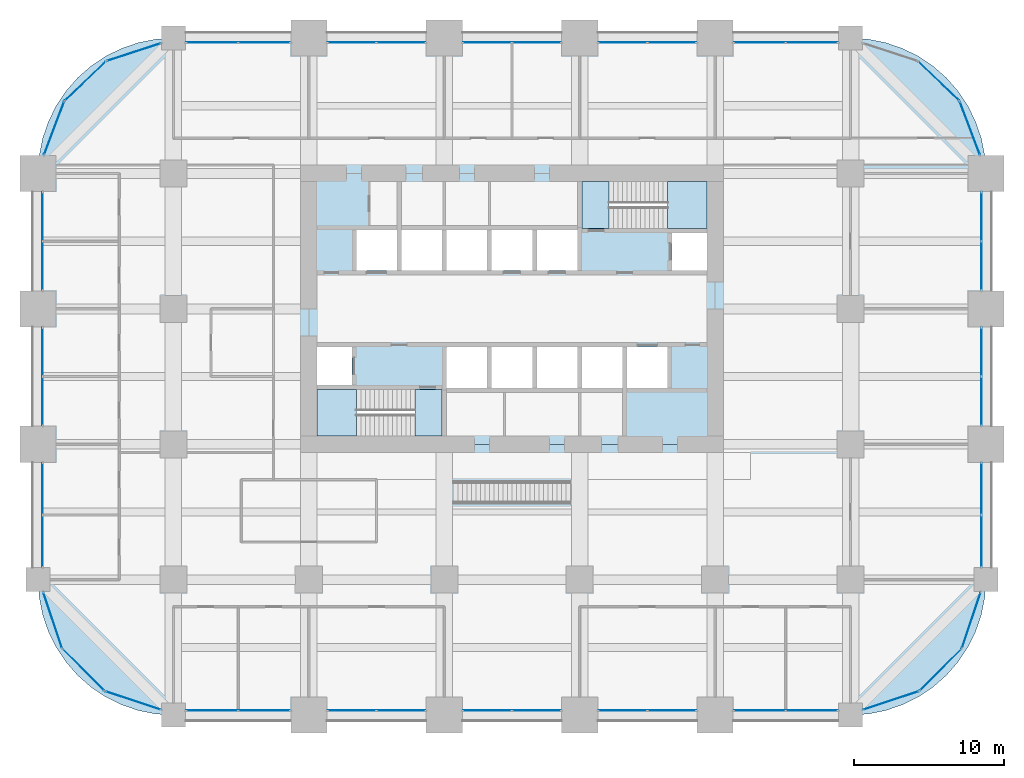
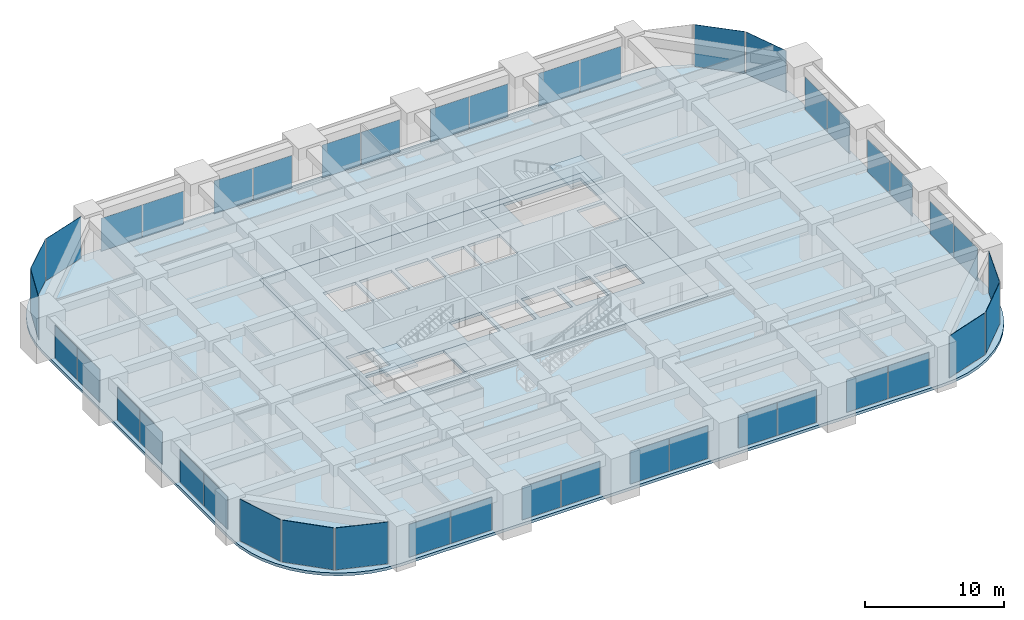
# One storey, part 35 of 41: 43 plates, 6 slabs, 29 elements without a shape of their own.
"""IFC4 building model written with IfcOpenShell, lengths in metres."""

from ifc_helpers import new_model, si_unit, direction, frame, origin, origin_2d, place, context, subcontext, project, spatial, polyline, rectangle, outline, extrude, material, layer, layer_set, type_object, element, aggregate, save


model = new_model("IFC4")

# Units and contexts
model_context = context("Model", 3, precision=1e-05, world=origin(), true_north=direction((0.0, 1.0)))
body_context = subcontext(model_context, "Body", "Model", "MODEL_VIEW")
ifc_project = project(units=[si_unit("LENGTHUNIT", "METRE"), si_unit("AREAUNIT", "SQUARE_METRE"), si_unit("VOLUMEUNIT", "CUBIC_METRE"), si_unit("PLANEANGLEUNIT", "RADIAN"), si_unit("MASSUNIT", "GRAM", prefix="KILO")], contexts=[model_context])

# Site, building, storey
site_placement = place(None, origin())
site = spatial("IfcSite", under=ifc_project, at=site_placement, CompositionType="ELEMENT")
building_placement = place(site_placement, origin())
building = spatial("IfcBuilding", under=site, at=building_placement, Name="Zorevar Civic Tower", CompositionType="ELEMENT")
storey_placement = place(building_placement, frame((0.0, 0.0, 137.0)))
storey = spatial("IfcBuildingStorey", under=building, at=storey_placement, Name="L33", CompositionType="ELEMENT", Elevation=137.0)

# Curtain wall, plates
ifc_material_1 = material(Name="Dark grey solar-control glass in black aluminium frame", Category="aluminium")
curtain_wall_type = type_object("IfcCurtainWallType", Name="Curtain wall CW3 mid zone", PredefinedType="NOTDEFINED", material=ifc_material_1)
curtain_wall_1_placement = place(storey_placement, origin())
curtain_wall_1 = element("IfcCurtainWall", 1, at=curtain_wall_1_placement, inside=storey, type_object=curtain_wall_type, Name="CW3 L33", PredefinedType="NOTDEFINED")
ifc_material_2 = material(Name="Dark grey solar-control glass", Category="glass")
ifc_layer_1 = layer(ifc_material_2, 0.030029296875)
ifc_layer_set_1 = layer_set([ifc_layer_1], Name="CW3 panel 30")
plate_type = type_object("IfcPlateType", Name="CW3 panel 30", PredefinedType="CURTAIN_PANEL", material=ifc_layer_set_1)
plate_1_placement = place(storey_placement, frame((11.56494140625, 0.300048828125, 0.06005859375), z_axis=(0.0, 0.0, 1.0), x_axis=(1.0, 0.0, 0.0)))
plate_1 = element("IfcPlate", 2, at=plate_1_placement, type_object=plate_type, Name="CW3 panel 1.1", PredefinedType="CURTAIN_PANEL", context=body_context, shape_type="SweptSolid", body=[
    extrude(rectangle(XDim=3.409912109375, YDim=0.030029296875, at=origin_2d()), origin(), (0.0, 0.0, 1.0), 2.889892578125),
])
plate_2_placement = place(storey_placement, frame((15.034912109375, 0.300048828125, 0.06005859375), z_axis=(0.0, 0.0, 1.0), x_axis=(1.0, 0.0, 0.0)))
plate_2 = element("IfcPlate", 3, at=plate_2_placement, type_object=plate_type, Name="CW3 panel 2.1", PredefinedType="CURTAIN_PANEL", context=body_context, shape_type="SweptSolid", body=[
    extrude(rectangle(XDim=3.409912109375, YDim=0.030029296875, at=origin_2d()), origin(), (0.0, 0.0, 1.0), 2.889892578125),
])
aggregate(curtain_wall_1, [plate_1, plate_2])

curtain_wall_2_placement = place(storey_placement, origin())
curtain_wall_2 = element("IfcCurtainWall", 4, at=curtain_wall_2_placement, inside=storey, type_object=curtain_wall_type, Name="CW3 L33", PredefinedType="NOTDEFINED")
plate_3_placement = place(storey_placement, frame((11.56494140625, 44.699951171875, 0.06005859375), z_axis=(0.0, 0.0, 1.0), x_axis=(1.0, 0.0, 0.0)))
plate_3 = element("IfcPlate", 5, at=plate_3_placement, type_object=plate_type, Name="CW3 panel 1.1", PredefinedType="CURTAIN_PANEL", context=body_context, shape_type="SweptSolid", body=[
    extrude(rectangle(XDim=3.409912109375, YDim=0.030029296875, at=origin_2d()), origin(), (0.0, 0.0, 1.0), 2.889892578125),
])
plate_4_placement = place(storey_placement, frame((15.034912109375, 44.699951171875, 0.06005859375), z_axis=(0.0, 0.0, 1.0), x_axis=(1.0, 0.0, 0.0)))
plate_4 = element("IfcPlate", 6, at=plate_4_placement, type_object=plate_type, Name="CW3 panel 2.1", PredefinedType="CURTAIN_PANEL", context=body_context, shape_type="SweptSolid", body=[
    extrude(rectangle(XDim=3.409912109375, YDim=0.030029296875, at=origin_2d()), origin(), (0.0, 0.0, 1.0), 2.889892578125),
])
aggregate(curtain_wall_2, [plate_3, plate_4])

curtain_wall_3_placement = place(storey_placement, origin())
curtain_wall_3 = element("IfcCurtainWall", 7, at=curtain_wall_3_placement, inside=storey, type_object=curtain_wall_type, Name="CW3 L33", PredefinedType="NOTDEFINED")
plate_5_placement = place(storey_placement, frame((20.864990234375, 0.300048828125, 0.06005859375), z_axis=(0.0, 0.0, 1.0), x_axis=(1.0, 0.0, 0.0)))
plate_5 = element("IfcPlate", 8, at=plate_5_placement, type_object=plate_type, Name="CW3 panel 1.1", PredefinedType="CURTAIN_PANEL", context=body_context, shape_type="SweptSolid", body=[
    extrude(rectangle(XDim=3.2099609375, YDim=0.030029296875, at=origin_2d()), origin(), (0.0, 0.0, 1.0), 2.889892578125),
])
plate_6_placement = place(storey_placement, frame((24.135009765625, 0.300048828125, 0.06005859375), z_axis=(0.0, 0.0, 1.0), x_axis=(1.0, 0.0, 0.0)))
plate_6 = element("IfcPlate", 9, at=plate_6_placement, type_object=plate_type, Name="CW3 panel 2.1", PredefinedType="CURTAIN_PANEL", context=body_context, shape_type="SweptSolid", body=[
    extrude(rectangle(XDim=3.2099609375, YDim=0.030029296875, at=origin_2d()), origin(), (0.0, 0.0, 1.0), 2.889892578125),
])
aggregate(curtain_wall_3, [plate_5, plate_6])

curtain_wall_4_placement = place(storey_placement, origin())
curtain_wall_4 = element("IfcCurtainWall", 10, at=curtain_wall_4_placement, inside=storey, type_object=curtain_wall_type, Name="CW3 L33", PredefinedType="NOTDEFINED")
plate_7_placement = place(storey_placement, frame((20.864990234375, 44.699951171875, 0.06005859375), z_axis=(0.0, 0.0, 1.0), x_axis=(1.0, 0.0, 0.0)))
plate_7 = element("IfcPlate", 11, at=plate_7_placement, type_object=plate_type, Name="CW3 panel 1.1", PredefinedType="CURTAIN_PANEL", context=body_context, shape_type="SweptSolid", body=[
    extrude(rectangle(XDim=3.2099609375, YDim=0.030029296875, at=origin_2d()), origin(), (0.0, 0.0, 1.0), 2.889892578125),
])
plate_8_placement = place(storey_placement, frame((24.135009765625, 44.699951171875, 0.06005859375), z_axis=(0.0, 0.0, 1.0), x_axis=(1.0, 0.0, 0.0)))
plate_8 = element("IfcPlate", 12, at=plate_8_placement, type_object=plate_type, Name="CW3 panel 2.1", PredefinedType="CURTAIN_PANEL", context=body_context, shape_type="SweptSolid", body=[
    extrude(rectangle(XDim=3.2099609375, YDim=0.030029296875, at=origin_2d()), origin(), (0.0, 0.0, 1.0), 2.889892578125),
])
aggregate(curtain_wall_4, [plate_7, plate_8])

curtain_wall_5_placement = place(storey_placement, origin())
curtain_wall_5 = element("IfcCurtainWall", 13, at=curtain_wall_5_placement, inside=storey, type_object=curtain_wall_type, Name="CW3 L33", PredefinedType="NOTDEFINED")
plate_9_placement = place(storey_placement, frame((29.864990234375, 0.300048828125, 0.06005859375), z_axis=(0.0, 0.0, 1.0), x_axis=(1.0, 0.0, 0.0)))
plate_9 = element("IfcPlate", 14, at=plate_9_placement, type_object=plate_type, Name="CW3 panel 1.1", PredefinedType="CURTAIN_PANEL", context=body_context, shape_type="SweptSolid", body=[
    extrude(rectangle(XDim=3.2099609375, YDim=0.030029296875, at=origin_2d()), origin(), (0.0, 0.0, 1.0), 2.889892578125),
])
plate_10_placement = place(storey_placement, frame((33.135009765625, 0.300048828125, 0.06005859375), z_axis=(0.0, 0.0, 1.0), x_axis=(1.0, 0.0, 0.0)))
plate_10 = element("IfcPlate", 15, at=plate_10_placement, type_object=plate_type, Name="CW3 panel 2.1", PredefinedType="CURTAIN_PANEL", context=body_context, shape_type="SweptSolid", body=[
    extrude(rectangle(XDim=3.2099609375, YDim=0.030029296875, at=origin_2d()), origin(), (0.0, 0.0, 1.0), 2.889892578125),
])
aggregate(curtain_wall_5, [plate_9, plate_10])

curtain_wall_6_placement = place(storey_placement, origin())
curtain_wall_6 = element("IfcCurtainWall", 16, at=curtain_wall_6_placement, inside=storey, type_object=curtain_wall_type, Name="CW3 L33", PredefinedType="NOTDEFINED")
plate_11_placement = place(storey_placement, frame((29.864990234375, 44.699951171875, 0.06005859375), z_axis=(0.0, 0.0, 1.0), x_axis=(1.0, 0.0, 0.0)))
plate_11 = element("IfcPlate", 17, at=plate_11_placement, type_object=plate_type, Name="CW3 panel 1.1", PredefinedType="CURTAIN_PANEL", context=body_context, shape_type="SweptSolid", body=[
    extrude(rectangle(XDim=3.2099609375, YDim=0.030029296875, at=origin_2d()), origin(), (0.0, 0.0, 1.0), 2.889892578125),
])
plate_12_placement = place(storey_placement, frame((33.135009765625, 44.699951171875, 0.06005859375), z_axis=(0.0, 0.0, 1.0), x_axis=(1.0, 0.0, 0.0)))
plate_12 = element("IfcPlate", 18, at=plate_12_placement, type_object=plate_type, Name="CW3 panel 2.1", PredefinedType="CURTAIN_PANEL", context=body_context, shape_type="SweptSolid", body=[
    extrude(rectangle(XDim=3.2099609375, YDim=0.030029296875, at=origin_2d()), origin(), (0.0, 0.0, 1.0), 2.889892578125),
])
aggregate(curtain_wall_6, [plate_11, plate_12])

curtain_wall_7_placement = place(storey_placement, origin())
curtain_wall_7 = element("IfcCurtainWall", 19, at=curtain_wall_7_placement, inside=storey, type_object=curtain_wall_type, Name="CW3 L33", PredefinedType="NOTDEFINED")
plate_13_placement = place(storey_placement, frame((38.864990234375, 0.300048828125, 0.06005859375), z_axis=(0.0, 0.0, 1.0), x_axis=(1.0, 0.0, 0.0)))
plate_13 = element("IfcPlate", 20, at=plate_13_placement, type_object=plate_type, Name="CW3 panel 1.1", PredefinedType="CURTAIN_PANEL", context=body_context, shape_type="SweptSolid", body=[
    extrude(rectangle(XDim=3.2099609375, YDim=0.030029296875, at=origin_2d()), origin(), (0.0, 0.0, 1.0), 2.889892578125),
])
plate_14_placement = place(storey_placement, frame((42.135009765625, 0.300048828125, 0.06005859375), z_axis=(0.0, 0.0, 1.0), x_axis=(1.0, 0.0, 0.0)))
plate_14 = element("IfcPlate", 21, at=plate_14_placement, type_object=plate_type, Name="CW3 panel 2.1", PredefinedType="CURTAIN_PANEL", context=body_context, shape_type="SweptSolid", body=[
    extrude(rectangle(XDim=3.2099609375, YDim=0.030029296875, at=origin_2d()), origin(), (0.0, 0.0, 1.0), 2.889892578125),
])
aggregate(curtain_wall_7, [plate_13, plate_14])

curtain_wall_8_placement = place(storey_placement, origin())
curtain_wall_8 = element("IfcCurtainWall", 22, at=curtain_wall_8_placement, inside=storey, type_object=curtain_wall_type, Name="CW3 L33", PredefinedType="NOTDEFINED")
plate_15_placement = place(storey_placement, frame((38.864990234375, 44.699951171875, 0.06005859375), z_axis=(0.0, 0.0, 1.0), x_axis=(1.0, 0.0, 0.0)))
plate_15 = element("IfcPlate", 23, at=plate_15_placement, type_object=plate_type, Name="CW3 panel 1.1", PredefinedType="CURTAIN_PANEL", context=body_context, shape_type="SweptSolid", body=[
    extrude(rectangle(XDim=3.2099609375, YDim=0.030029296875, at=origin_2d()), origin(), (0.0, 0.0, 1.0), 2.889892578125),
])
plate_16_placement = place(storey_placement, frame((42.135009765625, 44.699951171875, 0.06005859375), z_axis=(0.0, 0.0, 1.0), x_axis=(1.0, 0.0, 0.0)))
plate_16 = element("IfcPlate", 24, at=plate_16_placement, type_object=plate_type, Name="CW3 panel 2.1", PredefinedType="CURTAIN_PANEL", context=body_context, shape_type="SweptSolid", body=[
    extrude(rectangle(XDim=3.2099609375, YDim=0.030029296875, at=origin_2d()), origin(), (0.0, 0.0, 1.0), 2.889892578125),
])
aggregate(curtain_wall_8, [plate_15, plate_16])

curtain_wall_9_placement = place(storey_placement, origin())
curtain_wall_9 = element("IfcCurtainWall", 25, at=curtain_wall_9_placement, inside=storey, type_object=curtain_wall_type, Name="CW3 L33", PredefinedType="NOTDEFINED")
plate_17_placement = place(storey_placement, frame((47.965087890625, 0.300048828125, 0.06005859375), z_axis=(0.0, 0.0, 1.0), x_axis=(1.0, 0.0, 0.0)))
plate_17 = element("IfcPlate", 26, at=plate_17_placement, type_object=plate_type, Name="CW3 panel 1.1", PredefinedType="CURTAIN_PANEL", context=body_context, shape_type="SweptSolid", body=[
    extrude(rectangle(XDim=3.409912109375, YDim=0.030029296875, at=origin_2d()), origin(), (0.0, 0.0, 1.0), 2.889892578125),
])
plate_18_placement = place(storey_placement, frame((51.43505859375, 0.300048828125, 0.06005859375), z_axis=(0.0, 0.0, 1.0), x_axis=(1.0, 0.0, 0.0)))
plate_18 = element("IfcPlate", 27, at=plate_18_placement, type_object=plate_type, Name="CW3 panel 2.1", PredefinedType="CURTAIN_PANEL", context=body_context, shape_type="SweptSolid", body=[
    extrude(rectangle(XDim=3.409912109375, YDim=0.030029296875, at=origin_2d()), origin(), (0.0, 0.0, 1.0), 2.889892578125),
])
aggregate(curtain_wall_9, [plate_17, plate_18])

curtain_wall_10_placement = place(storey_placement, origin())
curtain_wall_10 = element("IfcCurtainWall", 28, at=curtain_wall_10_placement, inside=storey, type_object=curtain_wall_type, Name="CW3 L33", PredefinedType="NOTDEFINED")
plate_19_placement = place(storey_placement, frame((47.965087890625, 44.699951171875, 0.06005859375), z_axis=(0.0, 0.0, 1.0), x_axis=(1.0, 0.0, 0.0)))
plate_19 = element("IfcPlate", 29, at=plate_19_placement, type_object=plate_type, Name="CW3 panel 1.1", PredefinedType="CURTAIN_PANEL", context=body_context, shape_type="SweptSolid", body=[
    extrude(rectangle(XDim=3.409912109375, YDim=0.030029296875, at=origin_2d()), origin(), (0.0, 0.0, 1.0), 2.889892578125),
])
plate_20_placement = place(storey_placement, frame((51.43505859375, 44.699951171875, 0.06005859375), z_axis=(0.0, 0.0, 1.0), x_axis=(1.0, 0.0, 0.0)))
plate_20 = element("IfcPlate", 30, at=plate_20_placement, type_object=plate_type, Name="CW3 panel 2.1", PredefinedType="CURTAIN_PANEL", context=body_context, shape_type="SweptSolid", body=[
    extrude(rectangle(XDim=3.409912109375, YDim=0.030029296875, at=origin_2d()), origin(), (0.0, 0.0, 1.0), 2.889892578125),
])
aggregate(curtain_wall_10, [plate_19, plate_20])

curtain_wall_11_placement = place(storey_placement, origin())
curtain_wall_11 = element("IfcCurtainWall", 31, at=curtain_wall_11_placement, inside=storey, type_object=curtain_wall_type, Name="CW3 L33", PredefinedType="NOTDEFINED")
plate_21_placement = place(storey_placement, frame((0.300048828125, 11.56494140625, 0.06005859375), z_axis=(0.0, 0.0, 1.0), x_axis=(0.0, 1.0, 0.0)))
plate_21 = element("IfcPlate", 32, at=plate_21_placement, type_object=plate_type, Name="CW3 panel 1.1", PredefinedType="CURTAIN_PANEL", context=body_context, shape_type="SweptSolid", body=[
    extrude(rectangle(XDim=3.409912109375, YDim=0.030029296875, at=origin_2d()), origin(), (0.0, 0.0, 1.0), 2.889892578125),
])
plate_22_placement = place(storey_placement, frame((0.300048828125, 15.034912109375, 0.06005859375), z_axis=(0.0, 0.0, 1.0), x_axis=(0.0, 1.0, 0.0)))
plate_22 = element("IfcPlate", 33, at=plate_22_placement, type_object=plate_type, Name="CW3 panel 2.1", PredefinedType="CURTAIN_PANEL", context=body_context, shape_type="SweptSolid", body=[
    extrude(rectangle(XDim=3.409912109375, YDim=0.030029296875, at=origin_2d()), origin(), (0.0, 0.0, 1.0), 2.889892578125),
])
aggregate(curtain_wall_11, [plate_21, plate_22])

curtain_wall_12_placement = place(storey_placement, origin())
curtain_wall_12 = element("IfcCurtainWall", 34, at=curtain_wall_12_placement, inside=storey, type_object=curtain_wall_type, Name="CW3 L33", PredefinedType="NOTDEFINED")
plate_23_placement = place(storey_placement, frame((62.699951171875, 11.56494140625, 0.06005859375), z_axis=(0.0, 0.0, 1.0), x_axis=(0.0, 1.0, 0.0)))
plate_23 = element("IfcPlate", 35, at=plate_23_placement, type_object=plate_type, Name="CW3 panel 1.1", PredefinedType="CURTAIN_PANEL", context=body_context, shape_type="SweptSolid", body=[
    extrude(rectangle(XDim=3.409912109375, YDim=0.030029296875, at=origin_2d()), origin(), (0.0, 0.0, 1.0), 2.889892578125),
])
plate_24_placement = place(storey_placement, frame((62.699951171875, 15.034912109375, 0.06005859375), z_axis=(0.0, 0.0, 1.0), x_axis=(0.0, 1.0, 0.0)))
plate_24 = element("IfcPlate", 36, at=plate_24_placement, type_object=plate_type, Name="CW3 panel 2.1", PredefinedType="CURTAIN_PANEL", context=body_context, shape_type="SweptSolid", body=[
    extrude(rectangle(XDim=3.409912109375, YDim=0.030029296875, at=origin_2d()), origin(), (0.0, 0.0, 1.0), 2.889892578125),
])
aggregate(curtain_wall_12, [plate_23, plate_24])

curtain_wall_13_placement = place(storey_placement, origin())
curtain_wall_13 = element("IfcCurtainWall", 37, at=curtain_wall_13_placement, inside=storey, type_object=curtain_wall_type, Name="CW3 L33", PredefinedType="NOTDEFINED")
plate_25_placement = place(storey_placement, frame((0.300048828125, 20.864990234375, 0.06005859375), z_axis=(0.0, 0.0, 1.0), x_axis=(0.0, 1.0, 0.0)))
plate_25 = element("IfcPlate", 38, at=plate_25_placement, type_object=plate_type, Name="CW3 panel 1.1", PredefinedType="CURTAIN_PANEL", context=body_context, shape_type="SweptSolid", body=[
    extrude(rectangle(XDim=3.2099609375, YDim=0.030029296875, at=origin_2d()), origin(), (0.0, 0.0, 1.0), 2.889892578125),
])
plate_26_placement = place(storey_placement, frame((0.300048828125, 24.135009765625, 0.06005859375), z_axis=(0.0, 0.0, 1.0), x_axis=(0.0, 1.0, 0.0)))
plate_26 = element("IfcPlate", 39, at=plate_26_placement, type_object=plate_type, Name="CW3 panel 2.1", PredefinedType="CURTAIN_PANEL", context=body_context, shape_type="SweptSolid", body=[
    extrude(rectangle(XDim=3.2099609375, YDim=0.030029296875, at=origin_2d()), origin(), (0.0, 0.0, 1.0), 2.889892578125),
])
aggregate(curtain_wall_13, [plate_25, plate_26])

curtain_wall_14_placement = place(storey_placement, origin())
curtain_wall_14 = element("IfcCurtainWall", 40, at=curtain_wall_14_placement, inside=storey, type_object=curtain_wall_type, Name="CW3 L33", PredefinedType="NOTDEFINED")
plate_27_placement = place(storey_placement, frame((62.699951171875, 20.864990234375, 0.06005859375), z_axis=(0.0, 0.0, 1.0), x_axis=(0.0, 1.0, 0.0)))
plate_27 = element("IfcPlate", 41, at=plate_27_placement, type_object=plate_type, Name="CW3 panel 1.1", PredefinedType="CURTAIN_PANEL", context=body_context, shape_type="SweptSolid", body=[
    extrude(rectangle(XDim=3.2099609375, YDim=0.030029296875, at=origin_2d()), origin(), (0.0, 0.0, 1.0), 2.889892578125),
])
plate_28_placement = place(storey_placement, frame((62.699951171875, 24.135009765625, 0.06005859375), z_axis=(0.0, 0.0, 1.0), x_axis=(0.0, 1.0, 0.0)))
plate_28 = element("IfcPlate", 42, at=plate_28_placement, type_object=plate_type, Name="CW3 panel 2.1", PredefinedType="CURTAIN_PANEL", context=body_context, shape_type="SweptSolid", body=[
    extrude(rectangle(XDim=3.2099609375, YDim=0.030029296875, at=origin_2d()), origin(), (0.0, 0.0, 1.0), 2.889892578125),
])
aggregate(curtain_wall_14, [plate_27, plate_28])

curtain_wall_15_placement = place(storey_placement, origin())
curtain_wall_15 = element("IfcCurtainWall", 43, at=curtain_wall_15_placement, inside=storey, type_object=curtain_wall_type, Name="CW3 L33", PredefinedType="NOTDEFINED")
plate_29_placement = place(storey_placement, frame((0.300048828125, 29.864990234375, 0.06005859375), z_axis=(0.0, 0.0, 1.0), x_axis=(0.0, 1.0, 0.0)))
plate_29 = element("IfcPlate", 44, at=plate_29_placement, type_object=plate_type, Name="CW3 panel 1.1", PredefinedType="CURTAIN_PANEL", context=body_context, shape_type="SweptSolid", body=[
    extrude(rectangle(XDim=3.2099609375, YDim=0.030029296875, at=origin_2d()), origin(), (0.0, 0.0, 1.0), 2.889892578125),
])
plate_30_placement = place(storey_placement, frame((0.300048828125, 33.135009765625, 0.06005859375), z_axis=(0.0, 0.0, 1.0), x_axis=(0.0, 1.0, 0.0)))
plate_30 = element("IfcPlate", 45, at=plate_30_placement, type_object=plate_type, Name="CW3 panel 2.1", PredefinedType="CURTAIN_PANEL", context=body_context, shape_type="SweptSolid", body=[
    extrude(rectangle(XDim=3.2099609375, YDim=0.030029296875, at=origin_2d()), origin(), (0.0, 0.0, 1.0), 2.889892578125),
])
aggregate(curtain_wall_15, [plate_29, plate_30])

curtain_wall_16_placement = place(storey_placement, origin())
curtain_wall_16 = element("IfcCurtainWall", 46, at=curtain_wall_16_placement, inside=storey, type_object=curtain_wall_type, Name="CW3 L33", PredefinedType="NOTDEFINED")
plate_31_placement = place(storey_placement, frame((62.699951171875, 29.864990234375, 0.06005859375), z_axis=(0.0, 0.0, 1.0), x_axis=(0.0, 1.0, 0.0)))
plate_31 = element("IfcPlate", 47, at=plate_31_placement, type_object=plate_type, Name="CW3 panel 1.1", PredefinedType="CURTAIN_PANEL", context=body_context, shape_type="SweptSolid", body=[
    extrude(rectangle(XDim=3.2099609375, YDim=0.030029296875, at=origin_2d()), origin(), (0.0, 0.0, 1.0), 2.889892578125),
])
plate_32_placement = place(storey_placement, frame((62.699951171875, 33.135009765625, 0.06005859375), z_axis=(0.0, 0.0, 1.0), x_axis=(0.0, 1.0, 0.0)))
plate_32 = element("IfcPlate", 48, at=plate_32_placement, type_object=plate_type, Name="CW3 panel 2.1", PredefinedType="CURTAIN_PANEL", context=body_context, shape_type="SweptSolid", body=[
    extrude(rectangle(XDim=3.2099609375, YDim=0.030029296875, at=origin_2d()), origin(), (0.0, 0.0, 1.0), 2.889892578125),
])
aggregate(curtain_wall_16, [plate_31, plate_32])

# Curtain wall, plate
curtain_wall_17_placement = place(storey_placement, origin())
curtain_wall_17 = element("IfcCurtainWall", 49, at=curtain_wall_17_placement, inside=storey, type_object=curtain_wall_type, Name="CW3 L33", PredefinedType="NOTDEFINED")
plate_33_placement = place(storey_placement, frame((56.689453125, 0.9697265625, 0.06005859375), z_axis=(0.0, 0.0, 1.0), x_axis=(0.948227238701, 0.317592669603, 0.0)))
plate_33 = element("IfcPlate", 50, at=plate_33_placement, type_object=plate_type, Name="CW3 panel 1.1", PredefinedType="CURTAIN_PANEL", context=body_context, shape_type="SweptSolid", body=[
    extrude(rectangle(XDim=3.865478515625, YDim=0.030029296875, at=origin_2d()), origin(), (0.0, 0.0, 1.0), 3.68994140625),
])
aggregate(curtain_wall_17, [plate_33])

curtain_wall_18_placement = place(storey_placement, origin())
curtain_wall_18 = element("IfcCurtainWall", 51, at=curtain_wall_18_placement, inside=storey, type_object=curtain_wall_type, Name="CW3 L33", PredefinedType="NOTDEFINED")
plate_34_placement = place(storey_placement, frame((59.98828125, 3.01171875, 0.06005859375), z_axis=(0.0, 0.0, 1.0), x_axis=(0.707106781187, 0.707106781187, 0.0)))
plate_34 = element("IfcPlate", 52, at=plate_34_placement, type_object=plate_type, Name="CW3 panel 1.1", PredefinedType="CURTAIN_PANEL", context=body_context, shape_type="SweptSolid", body=[
    extrude(rectangle(XDim=3.865478515625, YDim=0.030029296875, at=origin_2d()), origin(), (0.0, 0.0, 1.0), 3.68994140625),
])
aggregate(curtain_wall_18, [plate_34])

curtain_wall_19_placement = place(storey_placement, origin())
curtain_wall_19 = element("IfcCurtainWall", 53, at=curtain_wall_19_placement, inside=storey, type_object=curtain_wall_type, Name="CW3 L33", PredefinedType="NOTDEFINED")
plate_35_placement = place(storey_placement, frame((62.0302734375, 6.310546875, 0.06005859375), z_axis=(0.0, 0.0, 1.0), x_axis=(0.317592669603, 0.948227238701, 0.0)))
plate_35 = element("IfcPlate", 54, at=plate_35_placement, type_object=plate_type, Name="CW3 panel 1.1", PredefinedType="CURTAIN_PANEL", context=body_context, shape_type="SweptSolid", body=[
    extrude(rectangle(XDim=3.865478515625, YDim=0.030029296875, at=origin_2d()), origin(), (0.0, 0.0, 1.0), 3.68994140625),
])
aggregate(curtain_wall_19, [plate_35])

curtain_wall_20_placement = place(storey_placement, origin())
curtain_wall_20 = element("IfcCurtainWall", 55, at=curtain_wall_20_placement, inside=storey, type_object=curtain_wall_type, Name="CW3 L33", PredefinedType="NOTDEFINED")
plate_36_placement = place(storey_placement, frame((61.9345703125, 39.002685546875, 0.06005859375), z_axis=(0.0, 0.0, 1.0), x_axis=(-0.353917722218, 0.935276561184, 0.0)))
plate_36 = element("IfcPlate", 56, at=plate_36_placement, type_object=plate_type, Name="CW3 panel 1.1", PredefinedType="CURTAIN_PANEL", context=body_context, shape_type="SweptSolid", body=[
    extrude(rectangle(XDim=3.734619140625, YDim=0.030029296875, at=origin_2d()), origin(), (0.0, 0.0, 1.0), 3.68994140625),
])
aggregate(curtain_wall_20, [plate_36])

curtain_wall_21_placement = place(storey_placement, origin())
curtain_wall_21 = element("IfcCurtainWall", 57, at=curtain_wall_21_placement, inside=storey, type_object=curtain_wall_type, Name="CW3 L33", PredefinedType="NOTDEFINED")
plate_37_placement = place(storey_placement, frame((59.8583984375, 42.13623046875, 0.06005859375), z_axis=(0.0, 0.0, 1.0), x_axis=(-0.723289117983, 0.690545329292, 0.0)))
plate_37 = element("IfcPlate", 58, at=plate_37_placement, type_object=plate_type, Name="CW3 panel 1.1", PredefinedType="CURTAIN_PANEL", context=body_context, shape_type="SweptSolid", body=[
    extrude(rectangle(XDim=3.734619140625, YDim=0.030029296875, at=origin_2d()), origin(), (0.0, 0.0, 1.0), 3.68994140625),
])
aggregate(curtain_wall_21, [plate_37])

curtain_wall_22_placement = place(storey_placement, origin())
curtain_wall_22 = element("IfcCurtainWall", 59, at=curtain_wall_22_placement, inside=storey, type_object=curtain_wall_type, Name="CW3 L33", PredefinedType="NOTDEFINED")
plate_38_placement = place(storey_placement, frame((6.36767578125, 44.065185546875, 0.06005859375), z_axis=(0.0, 0.0, 1.0), x_axis=(-0.950650706548, -0.310263169163, 0.0)))
plate_38 = element("IfcPlate", 60, at=plate_38_placement, type_object=plate_type, Name="CW3 panel 1.1", PredefinedType="CURTAIN_PANEL", context=body_context, shape_type="SweptSolid", body=[
    extrude(rectangle(XDim=3.734619140625, YDim=0.030029296875, at=origin_2d()), origin(), (0.0, 0.0, 1.0), 3.68994140625),
])
aggregate(curtain_wall_22, [plate_38])

curtain_wall_23_placement = place(storey_placement, origin())
curtain_wall_23 = element("IfcCurtainWall", 61, at=curtain_wall_23_placement, inside=storey, type_object=curtain_wall_type, Name="CW3 L33", PredefinedType="NOTDEFINED")
plate_39_placement = place(storey_placement, frame((3.1416015625, 42.13623046875, 0.06005859375), z_axis=(0.0, 0.0, 1.0), x_axis=(-0.723289117983, -0.690545329292, 0.0)))
plate_39 = element("IfcPlate", 62, at=plate_39_placement, type_object=plate_type, Name="CW3 panel 1.1", PredefinedType="CURTAIN_PANEL", context=body_context, shape_type="SweptSolid", body=[
    extrude(rectangle(XDim=3.734619140625, YDim=0.030029296875, at=origin_2d()), origin(), (0.0, 0.0, 1.0), 3.68994140625),
])
aggregate(curtain_wall_23, [plate_39])

curtain_wall_24_placement = place(storey_placement, origin())
curtain_wall_24 = element("IfcCurtainWall", 63, at=curtain_wall_24_placement, inside=storey, type_object=curtain_wall_type, Name="CW3 L33", PredefinedType="NOTDEFINED")
plate_40_placement = place(storey_placement, frame((1.0654296875, 39.002685546875, 0.06005859375), z_axis=(0.0, 0.0, 1.0), x_axis=(-0.353917722218, -0.935276561184, 0.0)))
plate_40 = element("IfcPlate", 64, at=plate_40_placement, type_object=plate_type, Name="CW3 panel 1.1", PredefinedType="CURTAIN_PANEL", context=body_context, shape_type="SweptSolid", body=[
    extrude(rectangle(XDim=3.734619140625, YDim=0.030029296875, at=origin_2d()), origin(), (0.0, 0.0, 1.0), 3.68994140625),
])
aggregate(curtain_wall_24, [plate_40])

curtain_wall_25_placement = place(storey_placement, origin())
curtain_wall_25 = element("IfcCurtainWall", 65, at=curtain_wall_25_placement, inside=storey, type_object=curtain_wall_type, Name="CW3 L33", PredefinedType="NOTDEFINED")
plate_41_placement = place(storey_placement, frame((0.9697265625, 6.310546875, 0.06005859375), z_axis=(0.0, 0.0, 1.0), x_axis=(0.317592669603, -0.948227238701, 0.0)))
plate_41 = element("IfcPlate", 66, at=plate_41_placement, type_object=plate_type, Name="CW3 panel 1.1", PredefinedType="CURTAIN_PANEL", context=body_context, shape_type="SweptSolid", body=[
    extrude(rectangle(XDim=3.865478515625, YDim=0.030029296875, at=origin_2d()), origin(), (0.0, 0.0, 1.0), 3.68994140625),
])
aggregate(curtain_wall_25, [plate_41])

curtain_wall_26_placement = place(storey_placement, origin())
curtain_wall_26 = element("IfcCurtainWall", 67, at=curtain_wall_26_placement, inside=storey, type_object=curtain_wall_type, Name="CW3 L33", PredefinedType="NOTDEFINED")
plate_42_placement = place(storey_placement, frame((3.01171875, 3.01171875, 0.06005859375), z_axis=(0.0, 0.0, 1.0), x_axis=(0.707106781187, -0.707106781187, 0.0)))
plate_42 = element("IfcPlate", 68, at=plate_42_placement, type_object=plate_type, Name="CW3 panel 1.1", PredefinedType="CURTAIN_PANEL", context=body_context, shape_type="SweptSolid", body=[
    extrude(rectangle(XDim=3.865478515625, YDim=0.030029296875, at=origin_2d()), origin(), (0.0, 0.0, 1.0), 3.68994140625),
])
aggregate(curtain_wall_26, [plate_42])

curtain_wall_27_placement = place(storey_placement, origin())
curtain_wall_27 = element("IfcCurtainWall", 69, at=curtain_wall_27_placement, inside=storey, type_object=curtain_wall_type, Name="CW3 L33", PredefinedType="NOTDEFINED")
plate_43_placement = place(storey_placement, frame((6.310546875, 0.9697265625, 0.06005859375), z_axis=(0.0, 0.0, 1.0), x_axis=(0.948227238701, -0.317592669603, 0.0)))
plate_43 = element("IfcPlate", 70, at=plate_43_placement, type_object=plate_type, Name="CW3 panel 1.1", PredefinedType="CURTAIN_PANEL", context=body_context, shape_type="SweptSolid", body=[
    extrude(rectangle(XDim=3.865478515625, YDim=0.030029296875, at=origin_2d()), origin(), (0.0, 0.0, 1.0), 3.68994140625),
])
aggregate(curtain_wall_27, [plate_43])

# Slabs
ifc_material_3 = material(Name="Concrete C40/50", Category="concrete")
ifc_layer_2 = layer(ifc_material_3, 0.25)
ifc_layer_set_2 = layer_set([ifc_layer_2], Name="Floor slab 250")
slab_type_1 = type_object("IfcSlabType", Name="Floor slab 250", PredefinedType="FLOOR", material=ifc_layer_set_2)
slab_1_placement = place(storey_placement, frame((0.0, 0.0, -0.25)))
element("IfcSlab", 71, at=slab_1_placement, inside=storey, type_object=slab_type_1, Name="Floor slab L33", PredefinedType="FLOOR", context=body_context, shape_type="SweptSolid", body=[
    extrude(outline(polyline([(54.0, 0.0), (55.1748046875, 0.076904296875), (56.329345703125, 0.306640625), (57.444091796875, 0.68505859375), (58.5, 1.205810546875), (59.478759765625, 1.85986328125), (60.364013671875, 2.635986328125), (61.14013671875, 3.521240234375), (61.794189453125, 4.5), (62.31494140625, 5.555908203125), (62.693359375, 6.670654296875), (62.923095703125, 7.8251953125), (63.0, 9.0), (63.0, 36.0), (62.923095703125, 37.1748046875), (62.693359375, 38.329345703125), (62.31494140625, 39.444091796875), (61.794189453125, 40.5), (61.14013671875, 41.478759765625), (60.364013671875, 42.364013671875), (59.478759765625, 43.14013671875), (58.5, 43.794189453125), (57.444091796875, 44.31494140625), (56.329345703125, 44.693359375), (55.1748046875, 44.923095703125), (54.0, 45.0), (9.0, 45.0), (7.8251953125, 44.923095703125), (6.670654296875, 44.693359375), (5.555908203125, 44.31494140625), (4.5, 43.794189453125), (3.521240234375, 43.14013671875), (2.635986328125, 42.364013671875), (1.85986328125, 41.478759765625), (1.205810546875, 40.5), (0.68505859375, 39.444091796875), (0.306640625, 38.329345703125), (0.076904296875, 37.1748046875), (0.0, 36.0), (0.0, 9.0), (0.076904296875, 7.8251953125), (0.306640625, 6.670654296875), (0.68505859375, 5.555908203125), (1.205810546875, 4.5), (1.85986328125, 3.521240234375), (2.635986328125, 2.635986328125), (3.521240234375, 1.85986328125), (4.5, 1.205810546875), (5.555908203125, 0.68505859375), (6.670654296875, 0.306640625), (7.8251953125, 0.076904296875), (9.0, 0.0), (54.0, 0.0)]), holes=[polyline([(18.0, 18.0), (45.0, 18.0), (45.0, 36.0), (18.0, 36.0), (18.0, 18.0)])]), origin(), (0.0, 0.0, 1.0), 0.25),
])
slab_2_placement = place(storey_placement, frame((0.0, 0.0, -0.25)))
element("IfcSlab", 72, at=slab_2_placement, inside=storey, type_object=slab_type_1, Name="Core floor L33", PredefinedType="FLOOR", context=body_context, shape_type="SweptSolid", body=[
    extrude(outline(polyline([(18.0, 18.0), (45.0, 18.0), (45.0, 36.0), (18.0, 36.0), (18.0, 18.0)]), holes=[polyline([(18.550048828125, 18.550048828125), (26.85009765625, 18.550048828125), (26.85009765625, 21.64990234375), (18.550048828125, 21.64990234375), (18.550048828125, 18.550048828125)]), polyline([(36.14990234375, 32.35009765625), (44.449951171875, 32.35009765625), (44.449951171875, 35.449951171875), (36.14990234375, 35.449951171875), (36.14990234375, 32.35009765625)]), polyline([(18.550048828125, 21.949951171875), (20.85009765625, 21.949951171875), (20.85009765625, 24.449951171875), (18.550048828125, 24.449951171875), (18.550048828125, 21.949951171875)]), polyline([(42.14990234375, 29.550048828125), (44.449951171875, 29.550048828125), (44.449951171875, 32.050048828125), (42.14990234375, 32.050048828125), (42.14990234375, 29.550048828125)]), polyline([(27.14990234375, 21.75), (29.85009765625, 21.75), (29.85009765625, 24.449951171875), (27.14990234375, 24.449951171875), (27.14990234375, 21.75)]), polyline([(33.14990234375, 29.550048828125), (35.85009765625, 29.550048828125), (35.85009765625, 32.25), (33.14990234375, 32.25), (33.14990234375, 29.550048828125)]), polyline([(30.14990234375, 21.75), (32.85009765625, 21.75), (32.85009765625, 24.449951171875), (30.14990234375, 24.449951171875), (30.14990234375, 21.75)]), polyline([(30.14990234375, 29.550048828125), (32.85009765625, 29.550048828125), (32.85009765625, 32.25), (30.14990234375, 32.25), (30.14990234375, 29.550048828125)]), polyline([(33.14990234375, 21.75), (35.85009765625, 21.75), (35.85009765625, 24.449951171875), (33.14990234375, 24.449951171875), (33.14990234375, 21.75)]), polyline([(27.14990234375, 29.550048828125), (29.85009765625, 29.550048828125), (29.85009765625, 32.25), (27.14990234375, 32.25), (27.14990234375, 29.550048828125)]), polyline([(36.14990234375, 21.75), (38.85009765625, 21.75), (38.85009765625, 24.449951171875), (36.14990234375, 24.449951171875), (36.14990234375, 21.75)]), polyline([(24.14990234375, 29.550048828125), (26.85009765625, 29.550048828125), (26.85009765625, 32.25), (24.14990234375, 32.25), (24.14990234375, 29.550048828125)]), polyline([(39.14990234375, 21.75), (41.85009765625, 21.75), (41.85009765625, 24.449951171875), (39.14990234375, 24.449951171875), (39.14990234375, 21.75)]), polyline([(21.14990234375, 29.550048828125), (23.85009765625, 29.550048828125), (23.85009765625, 32.25), (21.14990234375, 32.25), (21.14990234375, 29.550048828125)])]), origin(), (0.0, 0.0, 1.0), 0.25),
])

# Stair, slabs
ifc_material_4 = material(Name="Precast concrete C40/50", Category="concrete")
stair_type = type_object("IfcStairType", Name="Stair ST 28R", PredefinedType="HALF_TURN_STAIR", material=ifc_material_4)
stair_1_placement = place(storey_placement, origin())
stair_1 = element("IfcStair", 73, at=stair_1_placement, inside=storey, type_object=stair_type, Name="Stair ST1 L33", PredefinedType="HALF_TURN_STAIR")
ifc_material_5 = material(Name="Concrete C40/50", Category="concrete")
ifc_layer_3 = layer(ifc_material_5, 0.199951171875)
ifc_layer_set_3 = layer_set([ifc_layer_3], Name="Stair landing 200")
slab_type_2 = type_object("IfcSlabType", Name="Stair landing 200", PredefinedType="LANDING", material=ifc_layer_set_3)
slab_3_placement = place(storey_placement, frame((0.0, 0.0, -0.199951171875)))
slab_3 = element("IfcSlab", 74, at=slab_3_placement, type_object=slab_type_2, Name="ST1 landing 1", PredefinedType="LANDING", context=body_context, shape_type="SweptSolid", body=[
    extrude(outline(polyline([(25.050048828125, 18.550048828125), (26.85009765625, 18.550048828125), (26.85009765625, 21.64990234375), (25.050048828125, 21.64990234375), (25.050048828125, 18.550048828125)])), origin(), (0.0, 0.0, 1.0), 0.199951171875),
])
slab_4_placement = place(storey_placement, frame((0.0, 0.0, 1.800048828125)))
slab_4 = element("IfcSlab", 75, at=slab_4_placement, type_object=slab_type_2, Name="ST1 landing 2", PredefinedType="LANDING", context=body_context, shape_type="SweptSolid", body=[
    extrude(outline(polyline([(18.550048828125, 18.550048828125), (21.14990234375, 18.550048828125), (21.14990234375, 21.64990234375), (18.550048828125, 21.64990234375), (18.550048828125, 18.550048828125)])), origin(), (0.0, 0.0, 1.0), 0.199951171875),
])
aggregate(stair_1, [slab_3, slab_4])

stair_2_placement = place(storey_placement, origin())
stair_2 = element("IfcStair", 76, at=stair_2_placement, inside=storey, type_object=stair_type, Name="Stair ST2 L33", PredefinedType="HALF_TURN_STAIR")
slab_5_placement = place(storey_placement, frame((0.0, 0.0, -0.199951171875)))
slab_5 = element("IfcSlab", 77, at=slab_5_placement, type_object=slab_type_2, Name="ST2 landing 1", PredefinedType="LANDING", context=body_context, shape_type="SweptSolid", body=[
    extrude(outline(polyline([(37.949951171875, 32.35009765625), (36.14990234375, 32.35009765625), (36.14990234375, 35.449951171875), (37.949951171875, 35.449951171875), (37.949951171875, 32.35009765625)])), origin(), (0.0, 0.0, 1.0), 0.199951171875),
])
slab_6_placement = place(storey_placement, frame((0.0, 0.0, 1.800048828125)))
slab_6 = element("IfcSlab", 78, at=slab_6_placement, type_object=slab_type_2, Name="ST2 landing 2", PredefinedType="LANDING", context=body_context, shape_type="SweptSolid", body=[
    extrude(outline(polyline([(44.449951171875, 32.35009765625), (41.85009765625, 32.35009765625), (41.85009765625, 35.449951171875), (44.449951171875, 35.449951171875), (44.449951171875, 32.35009765625)])), origin(), (0.0, 0.0, 1.0), 0.199951171875),
])
aggregate(stair_2, [slab_5, slab_6])

save(model, "model.ifc")
